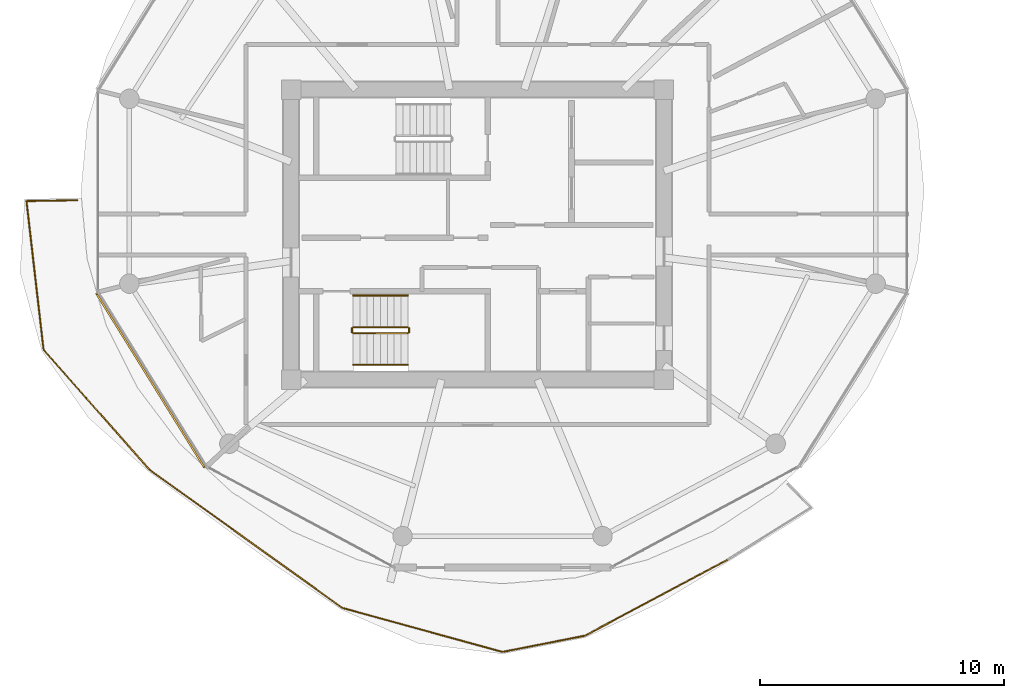
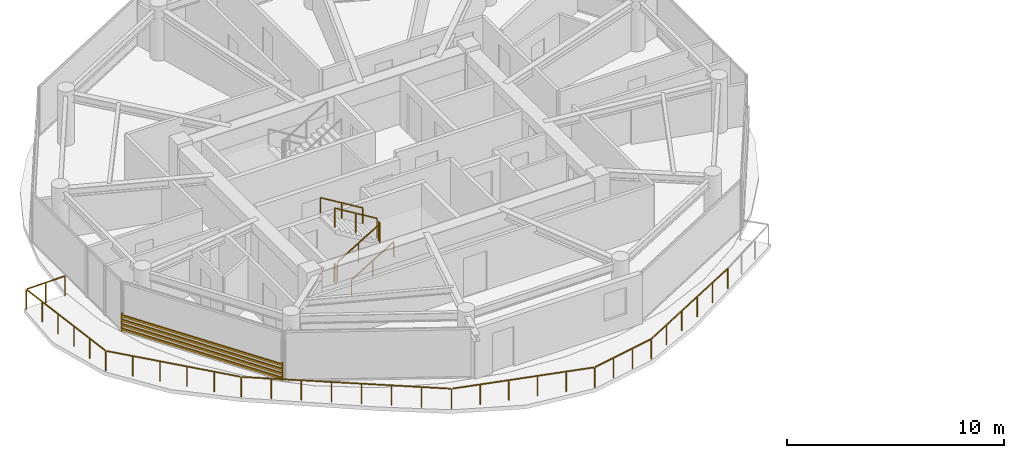
# One storey, part 18 of 22: 7 railings, 1 shading device.
"""IFC4 building model written with IfcOpenShell, lengths in metres."""

from ifc_helpers import new_model, si_unit, direction, frame, origin, origin_2d, place, context, subcontext, project, spatial, rectangle, extrude, source, transform, mapped, material, type_object, type_shapes, element, save


model = new_model("IFC4")

# Units and contexts
model_context = context("Model", 3, precision=1e-05, world=origin(), true_north=direction((0.0, 1.0)))
body_context = subcontext(model_context, "Body", "Model", "MODEL_VIEW")
ifc_project = project(units=[si_unit("LENGTHUNIT", "METRE"), si_unit("AREAUNIT", "SQUARE_METRE"), si_unit("VOLUMEUNIT", "CUBIC_METRE"), si_unit("PLANEANGLEUNIT", "RADIAN"), si_unit("MASSUNIT", "GRAM", prefix="KILO")], contexts=[model_context])

# Site, building, storey
site_placement = place(None, origin())
site = spatial("IfcSite", under=ifc_project, at=site_placement, CompositionType="ELEMENT")
building_placement = place(site_placement, origin())
building = spatial("IfcBuilding", under=site, at=building_placement, Name="Norrkilde Senior Care Towers", CompositionType="ELEMENT")
storey_placement = place(building_placement, frame((0.0, 0.0, 167.85009765625)))
storey = spatial("IfcBuildingStorey", under=building, at=storey_placement, Name="L52", CompositionType="ELEMENT", Elevation=167.85009765625)

# Railings
ifc_material_1 = material(Name="Anodised Aluminium", Category="aluminium")
railing_type_1 = type_object("IfcRailingType", Name="Balcony Swirl Ribbon Guardrail 1150", PredefinedType="GUARDRAIL", material=ifc_material_1)
railing_1_placement = place(storey_placement, frame((-17.7099609375, -13.322021484375, 0.0)))
element("IfcRailing", 1, at=railing_1_placement, inside=storey, type_object=railing_type_1, Name="L52 Perimeter Safety Guard 03", PredefinedType="GUARDRAIL", context=body_context, shape_type="SweptSolid", body=[
    extrude(rectangle(XDim=0.048095703125, YDim=0.048095703125, at=origin_2d()), frame((0.0, 0.0, 1.1259765625), z_axis=(-0.882355982129, -0.470582533464, 0.0), x_axis=(0.470582533464, -0.882355982129, 0.0)), (0.0, 0.0, 1.0), 6.626220703125),
    extrude(rectangle(XDim=0.048095703125, YDim=0.048095703125, at=origin_2d()), frame((-5.9228515625, -3.145263671875, 1.1259765625), z_axis=(-0.981121225154, -0.193393747447, 0.0), x_axis=(0.193393747447, -0.981121225154, 0.0)), (0.0, 0.0, 1.0), 3.368408203125),
    extrude(rectangle(XDim=0.048095703125, YDim=0.048095703125, at=origin_2d()), frame((-9.30712890625, -3.7939453125, 1.1259765625), z_axis=(-0.964222348469, 0.265094818345, 0.0), x_axis=(-0.265094818345, -0.964222348469, 0.0)), (0.0, 0.0, 1.0), 6.727783203125),
    extrude(rectangle(XDim=0.048095703125, YDim=0.048095703125, at=origin_2d()), frame((-15.866943359375, -1.975830078125, 1.1259765625), z_axis=(-0.813022122821, 0.582232795197, 0.0), x_axis=(-0.582232795197, -0.813022122821, 0.0)), (0.0, 0.0, 1.0), 9.64306640625),
    extrude(rectangle(XDim=0.048095703125, YDim=0.048095703125, at=origin_2d()), frame((-23.767333984375, 3.693115234375, 1.1259765625), z_axis=(-0.662377618276, 0.749170134754, 0.0), x_axis=(-0.749170134754, -0.662377618276, 0.0)), (0.0, 0.0, 1.0), 6.494873046875),
    extrude(rectangle(XDim=0.048095703125, YDim=0.048095703125, at=origin_2d()), frame((-28.10107421875, 8.630126953125, 1.1259765625), z_axis=(-0.113954478013, 0.993485972191, 0.0), x_axis=(-0.993485972191, -0.113954478013, 0.0)), (0.0, 0.0, 1.0), 6.062744140625),
    extrude(rectangle(XDim=0.048095703125, YDim=0.048095703125, at=origin_2d()), frame((-28.755859375, 14.69482421875, 1.1259765625), z_axis=(0.999863792708, 0.016504424581, 0.0), x_axis=(-0.016504424581, 0.999863792708, 0.0)), (0.0, 0.0, 1.0), 2.044921875),
    extrude(rectangle(XDim=0.0419921875, YDim=0.0419921875, at=origin_2d()), origin(), (0.0, 0.0, 1.0), 1.099853515625),
    extrude(rectangle(XDim=0.0419921875, YDim=0.0419921875, at=origin_2d()), frame((-1.176513671875, -0.62744140625, 0.0)), (0.0, 0.0, 1.0), 1.099853515625),
    extrude(rectangle(XDim=0.0419921875, YDim=0.0419921875, at=origin_2d()), frame((-2.35302734375, -1.2548828125, 0.0)), (0.0, 0.0, 1.0), 1.099853515625),
    extrude(rectangle(XDim=0.0419921875, YDim=0.0419921875, at=origin_2d()), frame((-3.52978515625, -1.882568359375, 0.0)), (0.0, 0.0, 1.0), 1.099853515625),
    extrude(rectangle(XDim=0.0419921875, YDim=0.0419921875, at=origin_2d()), frame((-4.706298828125, -2.510009765625, 0.0)), (0.0, 0.0, 1.0), 1.099853515625),
    extrude(rectangle(XDim=0.0419921875, YDim=0.0419921875, at=origin_2d()), frame((-5.8828125, -3.137451171875, 0.0)), (0.0, 0.0, 1.0), 1.099853515625),
    extrude(rectangle(XDim=0.0419921875, YDim=0.0419921875, at=origin_2d()), frame((-7.01123046875, -3.35986328125, 0.0)), (0.0, 0.0, 1.0), 1.099853515625),
    extrude(rectangle(XDim=0.0419921875, YDim=0.0419921875, at=origin_2d()), frame((-8.139404296875, -3.582275390625, 0.0)), (0.0, 0.0, 1.0), 1.099853515625),
    extrude(rectangle(XDim=0.0419921875, YDim=0.0419921875, at=origin_2d()), frame((-9.267822265625, -3.8046875, 0.0)), (0.0, 0.0, 1.0), 1.099853515625),
    extrude(rectangle(XDim=0.0419921875, YDim=0.0419921875, at=origin_2d()), frame((-10.5810546875, -3.443603515625, 0.0)), (0.0, 0.0, 1.0), 1.099853515625),
    extrude(rectangle(XDim=0.0419921875, YDim=0.0419921875, at=origin_2d()), frame((-11.894287109375, -3.08251953125, 0.0)), (0.0, 0.0, 1.0), 1.099853515625),
    extrude(rectangle(XDim=0.0419921875, YDim=0.0419921875, at=origin_2d()), frame((-13.207275390625, -2.7216796875, 0.0)), (0.0, 0.0, 1.0), 1.099853515625),
    extrude(rectangle(XDim=0.0419921875, YDim=0.0419921875, at=origin_2d()), frame((-14.5205078125, -2.360595703125, 0.0)), (0.0, 0.0, 1.0), 1.099853515625),
    extrude(rectangle(XDim=0.0419921875, YDim=0.0419921875, at=origin_2d()), frame((-15.833740234375, -1.99951171875, 0.0)), (0.0, 0.0, 1.0), 1.099853515625),
    extrude(rectangle(XDim=0.0419921875, YDim=0.0419921875, at=origin_2d()), frame((-16.963134765625, -1.190673828125, 0.0)), (0.0, 0.0, 1.0), 1.099853515625),
    extrude(rectangle(XDim=0.0419921875, YDim=0.0419921875, at=origin_2d()), frame((-18.0927734375, -0.3818359375, 0.0)), (0.0, 0.0, 1.0), 1.099853515625),
    extrude(rectangle(XDim=0.0419921875, YDim=0.0419921875, at=origin_2d()), frame((-19.22216796875, 0.427001953125, 0.0)), (0.0, 0.0, 1.0), 1.099853515625),
    extrude(rectangle(XDim=0.0419921875, YDim=0.0419921875, at=origin_2d()), frame((-20.351806640625, 1.236083984375, 0.0)), (0.0, 0.0, 1.0), 1.099853515625),
    extrude(rectangle(XDim=0.0419921875, YDim=0.0419921875, at=origin_2d()), frame((-21.481201171875, 2.044921875, 0.0)), (0.0, 0.0, 1.0), 1.099853515625),
    extrude(rectangle(XDim=0.0419921875, YDim=0.0419921875, at=origin_2d()), frame((-22.61083984375, 2.853759765625, 0.0)), (0.0, 0.0, 1.0), 1.099853515625),
    extrude(rectangle(XDim=0.0419921875, YDim=0.0419921875, at=origin_2d()), frame((-23.740234375, 3.66259765625, 0.0)), (0.0, 0.0, 1.0), 1.099853515625),
    extrude(rectangle(XDim=0.0419921875, YDim=0.0419921875, at=origin_2d()), frame((-24.611572265625, 4.64794921875, 0.0)), (0.0, 0.0, 1.0), 1.099853515625),
    extrude(rectangle(XDim=0.0419921875, YDim=0.0419921875, at=origin_2d()), frame((-25.482666015625, 5.63330078125, 0.0)), (0.0, 0.0, 1.0), 1.099853515625),
    extrude(rectangle(XDim=0.0419921875, YDim=0.0419921875, at=origin_2d()), frame((-26.35400390625, 6.618896484375, 0.0)), (0.0, 0.0, 1.0), 1.099853515625),
    extrude(rectangle(XDim=0.0419921875, YDim=0.0419921875, at=origin_2d()), frame((-27.22509765625, 7.604248046875, 0.0)), (0.0, 0.0, 1.0), 1.099853515625),
    extrude(rectangle(XDim=0.0419921875, YDim=0.0419921875, at=origin_2d()), frame((-28.096435546875, 8.589599609375, 0.0)), (0.0, 0.0, 1.0), 1.099853515625),
    extrude(rectangle(XDim=0.0419921875, YDim=0.0419921875, at=origin_2d()), frame((-28.236572265625, 9.810546875, 0.0)), (0.0, 0.0, 1.0), 1.099853515625),
    extrude(rectangle(XDim=0.0419921875, YDim=0.0419921875, at=origin_2d()), frame((-28.37646484375, 11.031494140625, 0.0)), (0.0, 0.0, 1.0), 1.099853515625),
    extrude(rectangle(XDim=0.0419921875, YDim=0.0419921875, at=origin_2d()), frame((-28.5166015625, 12.252197265625, 0.0)), (0.0, 0.0, 1.0), 1.099853515625),
    extrude(rectangle(XDim=0.0419921875, YDim=0.0419921875, at=origin_2d()), frame((-28.656494140625, 13.47314453125, 0.0)), (0.0, 0.0, 1.0), 1.099853515625),
    extrude(rectangle(XDim=0.0419921875, YDim=0.0419921875, at=origin_2d()), frame((-28.796630859375, 14.694091796875, 0.0)), (0.0, 0.0, 1.0), 1.099853515625),
    extrude(rectangle(XDim=0.0419921875, YDim=0.0419921875, at=origin_2d()), frame((-27.75390625, 14.71142578125, 0.0)), (0.0, 0.0, 1.0), 1.099853515625),
    extrude(rectangle(XDim=0.0419921875, YDim=0.0419921875, at=origin_2d()), frame((-26.711181640625, 14.728515625, 0.0)), (0.0, 0.0, 1.0), 1.099853515625),
])
ifc_material_2 = material(Name="Stainless Steel", Category="steel")
railing_type_2 = type_object("IfcRailingType", Name="Stair and Terrace Guardrail 1100", PredefinedType="GUARDRAIL", material=ifc_material_2)
railing_2_placement = place(storey_placement, frame((-33.10009765625, -4.050048828125, 0.16943359375)))
element("IfcRailing", 2, at=railing_2_placement, inside=storey, type_object=railing_type_2, Name="L52 ST-W2 stair guard 1", PredefinedType="GUARDRAIL", context=body_context, shape_type="SweptSolid", body=[
    extrude(rectangle(XDim=0.048095703125, YDim=0.048095703125, at=origin_2d()), frame((0.0, 0.0, 1.076171875), z_axis=(0.855553338991, 0.0, 0.51771467445), x_axis=(0.0, 1.0, 0.0)), (0.0, 0.0, 1.0), 2.6181640625),
    extrude(rectangle(XDim=0.0419921875, YDim=0.0419921875, at=origin_2d()), origin(), (0.0, 0.0, 1.0), 1.050048828125),
    extrude(rectangle(XDim=0.0419921875, YDim=0.0419921875, at=origin_2d()), frame((1.1201171875, 0.0, 0.677734375)), (0.0, 0.0, 1.0), 1.050048828125),
    extrude(rectangle(XDim=0.0419921875, YDim=0.0419921875, at=origin_2d()), frame((2.239990234375, 0.0, 1.35546875)), (0.0, 0.0, 1.0), 1.050048828125),
])
railing_3_placement = place(storey_placement, frame((-30.81005859375, -4.0, 1.52490234375)))
element("IfcRailing", 3, at=railing_3_placement, inside=storey, type_object=railing_type_2, Name="L52 ST-W2 stair guard 2", PredefinedType="GUARDRAIL", context=body_context, shape_type="SweptSolid", body=[
    extrude(rectangle(XDim=0.048095703125, YDim=0.048095703125, at=origin_2d()), frame((0.0, 0.0, 1.076171875), z_axis=(0.0, 1.0, 0.0), x_axis=(-1.0, 0.0, 0.0)), (0.0, 0.0, 1.0), 0.14990234375),
    extrude(rectangle(XDim=0.0419921875, YDim=0.0419921875, at=origin_2d()), origin(), (0.0, 0.0, 1.0), 1.050048828125),
    extrude(rectangle(XDim=0.0419921875, YDim=0.0419921875, at=origin_2d()), frame((0.0, 0.14990234375, 0.0)), (0.0, 0.0, 1.0), 1.050048828125),
])
railing_4_placement = place(storey_placement, frame((-30.860107421875, -3.800048828125, 1.6943359375)))
element("IfcRailing", 4, at=railing_4_placement, inside=storey, type_object=railing_type_2, Name="L52 ST-W2 stair guard 3", PredefinedType="GUARDRAIL", context=body_context, shape_type="SweptSolid", body=[
    extrude(rectangle(XDim=0.048095703125, YDim=0.048095703125, at=origin_2d()), frame((0.0, 0.0, 1.076171875), z_axis=(-0.855553338991, 0.0, 0.51771467445), x_axis=(0.0, -1.0, 0.0)), (0.0, 0.0, 1.0), 2.6181640625),
    extrude(rectangle(XDim=0.0419921875, YDim=0.0419921875, at=origin_2d()), origin(), (0.0, 0.0, 1.0), 1.050048828125),
    extrude(rectangle(XDim=0.0419921875, YDim=0.0419921875, at=origin_2d()), frame((-1.1201171875, 0.0, 0.677734375)), (0.0, 0.0, 1.0), 1.050048828125),
    extrude(rectangle(XDim=0.0419921875, YDim=0.0419921875, at=origin_2d()), frame((-2.239990234375, 0.0, 1.35546875)), (0.0, 0.0, 1.0), 1.050048828125),
])
railing_5_placement = place(storey_placement, frame((-33.14990234375, -4.0, 0.0)))
element("IfcRailing", 5, at=railing_5_placement, inside=storey, type_object=railing_type_2, Name="L52 ST-W2 stair guard 4", PredefinedType="GUARDRAIL", context=body_context, shape_type="SweptSolid", body=[
    extrude(rectangle(XDim=0.048095703125, YDim=0.048095703125, at=origin_2d()), frame((0.0, 0.0, 1.076171875), z_axis=(0.0, 1.0, 0.0), x_axis=(-1.0, 0.0, 0.0)), (0.0, 0.0, 1.0), 0.14990234375),
    extrude(rectangle(XDim=0.0419921875, YDim=0.0419921875, at=origin_2d()), origin(), (0.0, 0.0, 1.0), 1.050048828125),
    extrude(rectangle(XDim=0.0419921875, YDim=0.0419921875, at=origin_2d()), frame((0.0, 0.14990234375, 0.0)), (0.0, 0.0, 1.0), 1.050048828125),
])
ifc_material_3 = material(Name="Nordic Ash Timber", Category="wood")
railing_type_3 = type_object("IfcRailingType", Name="Wall and Stair Handrail 900", PredefinedType="HANDRAIL", material=ifc_material_3)
railing_6_placement = place(storey_placement, frame((-33.10009765625, -5.35009765625, 0.16943359375)))
element("IfcRailing", 6, at=railing_6_placement, inside=storey, type_object=railing_type_3, Name="L52 ST-W2 stair handrail 1", PredefinedType="HANDRAIL", context=body_context, shape_type="SweptSolid", body=[
    extrude(rectangle(XDim=0.048095703125, YDim=0.048095703125, at=origin_2d()), frame((0.0, 0.0, 0.8759765625), z_axis=(0.855553338991, 0.0, 0.51771467445), x_axis=(0.0, 1.0, 0.0)), (0.0, 0.0, 1.0), 2.6181640625),
    extrude(rectangle(XDim=0.0419921875, YDim=0.0419921875, at=origin_2d()), origin(), (0.0, 0.0, 1.0), 0.849853515625),
    extrude(rectangle(XDim=0.0419921875, YDim=0.0419921875, at=origin_2d()), frame((1.1201171875, 0.0, 0.677734375)), (0.0, 0.0, 1.0), 0.849853515625),
    extrude(rectangle(XDim=0.0419921875, YDim=0.0419921875, at=origin_2d()), frame((2.239990234375, 0.0, 1.35546875)), (0.0, 0.0, 1.0), 0.849853515625),
])
railing_7_placement = place(storey_placement, frame((-30.860107421875, -2.5, 1.6943359375)))
element("IfcRailing", 7, at=railing_7_placement, inside=storey, type_object=railing_type_3, Name="L52 ST-W2 stair handrail 2", PredefinedType="HANDRAIL", context=body_context, shape_type="SweptSolid", body=[
    extrude(rectangle(XDim=0.048095703125, YDim=0.048095703125, at=origin_2d()), frame((0.0, 0.0, 0.8759765625), z_axis=(-0.855553338991, 0.0, 0.51771467445), x_axis=(0.0, -1.0, 0.0)), (0.0, 0.0, 1.0), 2.6181640625),
    extrude(rectangle(XDim=0.0419921875, YDim=0.0419921875, at=origin_2d()), origin(), (0.0, 0.0, 1.0), 0.849853515625),
    extrude(rectangle(XDim=0.0419921875, YDim=0.0419921875, at=origin_2d()), frame((-1.1201171875, 0.0, 0.677734375)), (0.0, 0.0, 1.0), 0.849853515625),
    extrude(rectangle(XDim=0.0419921875, YDim=0.0419921875, at=origin_2d()), frame((-2.239990234375, 0.0, 1.35546875)), (0.0, 0.0, 1.0), 0.849853515625),
])

# Shading device
ifc_material_4 = material(Name="Architectural Terracotta", Category="masonry")
shading_device_type = type_object("IfcShadingDeviceType", Name="Horizontal Terracotta Baguette Rack", PredefinedType="USERDEFINED", material=ifc_material_4)
shared_shape = source(origin(), body_context, "Body", "SweptSolid", [
    extrude(rectangle(XDim=0.070068359375, YDim=0.110107421875, at=origin_2d()), frame((0.0, 0.090087890625, 0.125), z_axis=(1.0, 0.0, 0.0), x_axis=(0.0, 1.0, 0.0)), (0.0, 0.0, 1.0), 8.431396484375),
    extrude(rectangle(XDim=0.070068359375, YDim=0.110107421875, at=origin_2d()), frame((0.0, 0.090087890625, 0.375), z_axis=(1.0, 0.0, 0.0), x_axis=(0.0, 1.0, 0.0)), (0.0, 0.0, 1.0), 8.431396484375),
    extrude(rectangle(XDim=0.070068359375, YDim=0.110107421875, at=origin_2d()), frame((0.0, 0.090087890625, 0.625), z_axis=(1.0, 0.0, 0.0), x_axis=(0.0, 1.0, 0.0)), (0.0, 0.0, 1.0), 8.431396484375),
    extrude(rectangle(XDim=0.070068359375, YDim=0.110107421875, at=origin_2d()), frame((0.0, 0.090087890625, 0.875), z_axis=(1.0, 0.0, 0.0), x_axis=(0.0, 1.0, 0.0)), (0.0, 0.0, 1.0), 8.431396484375),
    extrude(rectangle(XDim=0.050048828125, YDim=0.1552734375, at=origin_2d()), frame((0.02490234375, 0.047607421875, 0.0)), (0.0, 0.0, 1.0), 1.0),
    extrude(rectangle(XDim=0.050048828125, YDim=0.1552734375, at=origin_2d()), frame((8.40625, 0.047607421875, 0.0)), (0.0, 0.0, 1.0), 1.0),
])
type_shapes(shading_device_type, [shared_shape])
shading_device_placement = place(storey_placement, frame((-39.123046875, -9.524169921875, 0.079833984375), z_axis=(0.0, 0.0, 1.0), x_axis=(-0.527378022296, 0.849630809324, 0.0)))
element("IfcShadingDevice", 8, at=shading_device_placement, inside=storey, type_object=shading_device_type, Name="L52 Drum W Terracotta Baguette Screen 06", ObjectType="BAGUETTE", PredefinedType="USERDEFINED", context=body_context, shape_type="MappedRepresentation", body=[
    mapped(shared_shape, transform((0.0, 0.0, 0.0), x_axis=(1.0, 0.0, 0.0), y_axis=(0.0, 1.0, 0.0), z_axis=(0.0, 0.0, 1.0), scale=1.0)),
])

save(model, "model.ifc")
